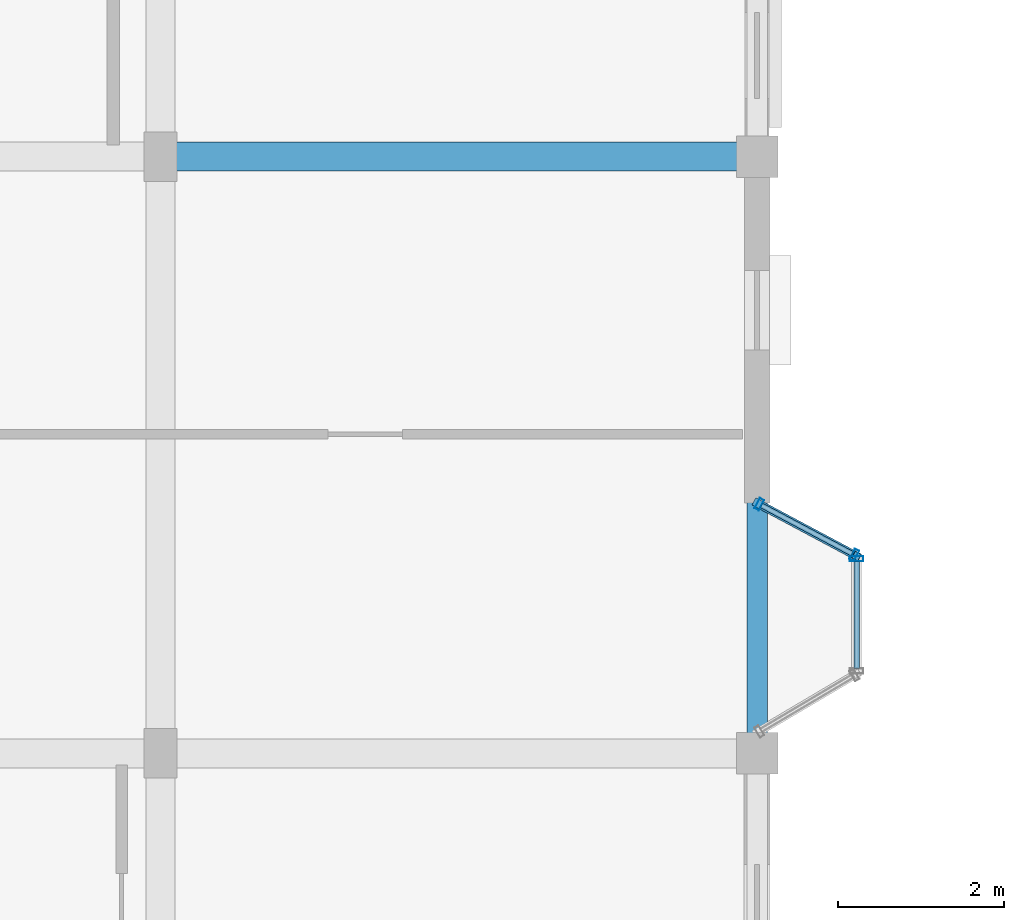
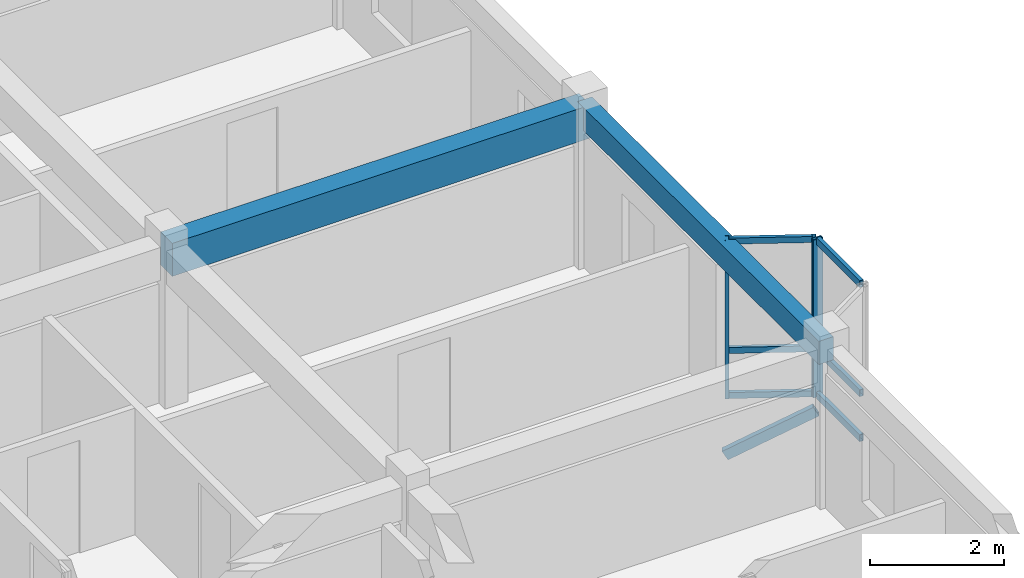
# One storey, part 12 of 70: 10 members, 2 beams, 2 elements without a shape of their own.
"""IFC4 building model written with IfcOpenShell, lengths in metres."""

import ifcopenshell
import ifcopenshell.guid

model = None  # the IFC model being written
_history = None  # IfcOwnerHistory: only IFC2X3 demands one
_inside = {}  # id of a spatial element -> (the spatial element, [elements in it])
_under = {}  # id of a project, library or spatial element -> (it, [spatial elements below it])
_declared = {}  # id of a project -> (the project, [libraries it declares])
_typed = {}  # id of a type object -> (the type object, [elements of that type])
_made_of = {}  # id of a material, layer set ... -> (it, [elements and type objects made of it])


def new_model(schema):
    """Start an empty IFC model of exactly this schema.

    Asked for "IFC4X3", IfcOpenShell would pick the latest addendum, in which some entities
    have other attributes; the version numbers below select the first issue.
    IFC2X3 requires an IfcOwnerHistory on every rooted entity: one is made here for all.
    """
    global model, _history
    if schema == "IFC4X3":
        model = ifcopenshell.file(schema_version=(4, 3, 0, 0))
    else:
        model = ifcopenshell.file(schema=schema)
    _inside.clear()
    _under.clear()
    _declared.clear()
    _typed.clear()
    _made_of.clear()
    _history = None
    if model.schema == "IFC2X3":
        org = make("IfcOrganization", Name="unknown")
        user = make(
            "IfcPersonAndOrganization",
            ThePerson=make("IfcPerson", FamilyName="unknown"),
            TheOrganization=org,
        )
        app = make(
            "IfcApplication",
            ApplicationDeveloper=org,
            Version="unknown",
            ApplicationFullName="unknown",
            ApplicationIdentifier="unknown",
        )
        _history = make(
            "IfcOwnerHistory",
            OwningUser=user,
            OwningApplication=app,
            ChangeAction="ADDED",
            CreationDate=0,
        )
    return model


def make(cls, **values):
    """One entity of the class cls with the attributes given. An attribute that is None is left unset."""
    return model.create_entity(
        cls, **{name: value for name, value in values.items() if value is not None}
    )


def rooted(cls, **values):
    """An entity with a GlobalId (a new one), such as an element, a storey or a relation."""
    return make(cls, GlobalId=ifcopenshell.guid.new(), OwnerHistory=_history, **values)


def si_unit(unit_type, name, prefix=None):
    """IfcSIUnit, for example si_unit("LENGTHUNIT", "METRE", prefix="MILLI")."""
    return make("IfcSIUnit", UnitType=unit_type, Prefix=prefix, Name=name)


def assignment(units):
    """IfcUnitAssignment: the units of a project."""
    return None if units is None else make("IfcUnitAssignment", Units=units)


def point(xyz):
    """IfcCartesianPoint."""
    return None if xyz is None else make("IfcCartesianPoint", Coordinates=xyz)


def direction(xyz):
    """IfcDirection."""
    return None if xyz is None else make("IfcDirection", DirectionRatios=xyz)


def frame(location, z_axis=None, x_axis=None):
    """IfcAxis2Placement3D, a coordinate frame: its origin and axes. An axis left out is left unset."""
    return make(
        "IfcAxis2Placement3D",
        Location=point(location),
        Axis=direction(z_axis),
        RefDirection=direction(x_axis),
    )


def frame_2d(location, x_axis=None):
    """IfcAxis2Placement2D, a coordinate frame in the plane: its origin and x axis."""
    return make(
        "IfcAxis2Placement2D", Location=point(location), RefDirection=direction(x_axis)
    )


def origin():
    """The frame at (0, 0, 0) with its axes left unset."""
    return frame((0.0, 0.0, 0.0))


def origin_2d():
    """The frame at (0, 0) in the plane with its x axis left unset."""
    return frame_2d((0.0, 0.0))


def place(relative_to, where):
    """IfcLocalPlacement: puts the frame where relative to a parent placement (None: the world)."""
    return make(
        "IfcLocalPlacement", PlacementRelTo=relative_to, RelativePlacement=where
    )


def context(
    kind, dimensions, precision=None, world=None, true_north=None, identifier=None
):
    """IfcGeometricRepresentationContext, for example the 3D "Model" context."""
    return make(
        "IfcGeometricRepresentationContext",
        ContextIdentifier=identifier,
        ContextType=kind,
        CoordinateSpaceDimension=dimensions,
        Precision=precision,
        WorldCoordinateSystem=world,
        TrueNorth=true_north,
    )


def subcontext(parent, identifier, kind, view, scale=None):
    """IfcGeometricRepresentationSubContext, for example "Body" below "Model"."""
    return make(
        "IfcGeometricRepresentationSubContext",
        ContextIdentifier=identifier,
        ContextType=kind,
        ParentContext=parent,
        TargetScale=scale,
        TargetView=view,
    )


def project(units=None, contexts=None):
    """IfcProject with its units and contexts."""
    return rooted(
        "IfcProject",
        Name="project",
        RepresentationContexts=contexts,
        UnitsInContext=assignment(units),
    )


def spatial(cls, under=None, at=None, **own):
    """A site, building, storey or space (cls), placed at a placement, below another one or the project."""
    s = rooted(cls, ObjectPlacement=at, **own)
    if under is not None:
        _under.setdefault(under.id(), (under, []))[1].append(s)
    return s


def profile(cls, at=None, kind="AREA", **sizes):
    """A parametric profile (cls). Its sizes go by their IFC names, for example OverallWidth=200.0."""
    return make(cls, ProfileType=kind, Position=at, **sizes)


def rectangle(**sizes):
    """IfcRectangleProfileDef."""
    return profile("IfcRectangleProfileDef", **sizes)


def hollow_rectangle(**sizes):
    """IfcRectangleHollowProfileDef."""
    return profile("IfcRectangleHollowProfileDef", **sizes)


def extrude(swept, where, along, depth):
    """IfcExtrudedAreaSolid: the profile swept, set in the frame where, extruded along a direction by depth."""
    return make(
        "IfcExtrudedAreaSolid",
        SweptArea=swept,
        Position=where,
        ExtrudedDirection=direction(along),
        Depth=depth,
    )


def shape(context_of_items, identifier, shape_type, items):
    """IfcShapeRepresentation: the items that make up one representation, for example the "Body"."""
    return make(
        "IfcShapeRepresentation",
        ContextOfItems=context_of_items,
        RepresentationIdentifier=identifier,
        RepresentationType=shape_type,
        Items=items,
    )


def material(Name=None, Category=None):
    """IfcMaterial."""
    return make("IfcMaterial", Name=Name, Category=Category)


def layer(
    of_material, thickness, ventilated=None, Name=None, Category=None, Priority=None
):
    """IfcMaterialLayer: one layer of a wall or slab, of a material (None: an air gap)."""
    return make(
        "IfcMaterialLayer",
        Material=of_material,
        LayerThickness=thickness,
        IsVentilated=ventilated,
        Name=Name,
        Category=Category,
        Priority=Priority,
    )


def layer_set(layers, Name=None):
    """IfcMaterialLayerSet."""
    return make("IfcMaterialLayerSet", MaterialLayers=layers, LayerSetName=Name)


def material_profile(
    of_material, cross_section, Name=None, Category=None, Priority=None
):
    """IfcMaterialProfile: a cross section and its material."""
    return make(
        "IfcMaterialProfile",
        Name=Name,
        Material=of_material,
        Profile=cross_section,
        Priority=Priority,
        Category=Category,
    )


def profile_set(profiles, Name=None, composite=None):
    """IfcMaterialProfileSet."""
    return make(
        "IfcMaterialProfileSet",
        Name=Name,
        MaterialProfiles=profiles,
        CompositeProfile=composite,
    )


def made_of(thing, what):
    """Note that an element or type object is made of a material, layer set ...; save() writes the relation."""
    if what is not None:
        _made_of.setdefault(what.id(), (what, []))[1].append(thing)
    return thing


def type_object(cls, material=None, **own):
    """A type object (cls), such as IfcWallType, which elements share."""
    return made_of(rooted(cls, **own), material)


def element(
    cls,
    number,
    at=None,
    inside=None,
    cuts=None,
    type_object=None,
    material=None,
    context=None,
    identifier="Body",
    shape_type=None,
    held_by="IfcProductDefinitionShape",
    body=None,
    shapes=None,
    **own,
):
    """One element of the class cls, such as IfcWall. Its Tag is "e" and its number.

    at: its placement. inside: the storey or other place that contains it. cuts: it is an
    opening in that element (IfcRelVoidsElement). A single representation is given by context,
    identifier, shape_type and body (its items); several are given by shapes. held_by: the class
    of the entity that holds the representations. save() writes the other relations.
    """
    e = rooted(cls, Tag="e%d" % number, ObjectPlacement=at, **own)
    if body is not None:
        shapes = [shape(context, identifier, shape_type, body)]
    if shapes is not None:
        e.Representation = make(held_by, Representations=shapes)
    if inside is not None:
        _inside.setdefault(inside.id(), (inside, []))[1].append(e)
    if cuts is not None:
        rooted(
            "IfcRelVoidsElement", RelatingBuildingElement=cuts, RelatedOpeningElement=e
        )
    if type_object is not None:
        _typed.setdefault(type_object.id(), (type_object, []))[1].append(e)
    return made_of(e, material)


def aggregate(whole, parts):
    """IfcRelAggregates: a whole, such as a stair, and the parts it consists of."""
    return rooted("IfcRelAggregates", RelatingObject=whole, RelatedObjects=parts)


def save(model, path):
    """Write the relations noted so far, then the file.

    IfcRelAggregates (storeys below a building ...), IfcRelContainedInSpatialStructure (elements
    in a storey), IfcRelDefinesByType, IfcRelAssociatesMaterial and IfcRelDeclares: one each for
    every whole, place, type object, material and project.
    """
    for whole, parts in _under.values():
        aggregate(whole, parts)
    for where, things in _inside.values():
        rooted(
            "IfcRelContainedInSpatialStructure",
            RelatedElements=things,
            RelatingStructure=where,
        )
    for kind, things in _typed.values():
        rooted("IfcRelDefinesByType", RelatedObjects=things, RelatingType=kind)
    for what, things in _made_of.values():
        rooted("IfcRelAssociatesMaterial", RelatedObjects=things, RelatingMaterial=what)
    for by, libraries in _declared.values():
        rooted("IfcRelDeclares", RelatingContext=by, RelatedDefinitions=libraries)
    model.write(path)


model = new_model("IFC4")

# Units and contexts
model_context = context("Model", 3, precision=1e-05, world=origin(), true_north=direction((0.0, 1.0)))
body_context = subcontext(model_context, "Body", "Model", "MODEL_VIEW")
ifc_project = project(units=[si_unit("LENGTHUNIT", "METRE"), si_unit("AREAUNIT", "SQUARE_METRE"), si_unit("VOLUMEUNIT", "CUBIC_METRE"), si_unit("PLANEANGLEUNIT", "RADIAN"), si_unit("MASSUNIT", "GRAM", prefix="KILO"), si_unit("THERMODYNAMICTEMPERATUREUNIT", "KELVIN"), si_unit("POWERUNIT", "WATT")], contexts=[model_context])

# Site, building, storey
site_placement = place(None, origin())
site = spatial("IfcSite", under=ifc_project, at=site_placement, CompositionType="ELEMENT")
building_placement = place(site_placement, origin())
building = spatial("IfcBuilding", under=site, at=building_placement, Name="Tavuni Mirador Residences", CompositionType="ELEMENT")
storey_placement = place(building_placement, frame((0.0, 0.0, 23.39990234375)))
storey = spatial("IfcBuildingStorey", under=building, at=storey_placement, Name="L07", CompositionType="ELEMENT", Elevation=23.39990234375)

# Beams
ifc_material_1 = material(Name="Precast concrete C40/50", Category="concrete")
ifc_material_profile_1 = material_profile(ifc_material_1, rectangle(XDim=0.35009765625, YDim=0.60009765625, at=origin_2d()), Name="PC 350x600", Category="concrete")
ifc_profile_set_1 = profile_set([ifc_material_profile_1], Name="Precast concrete C40/50")
beam_type_1 = type_object("IfcBeamType", Name="BT-B600", PredefinedType="BEAM", material=ifc_profile_set_1)
beam_1_placement = place(storey_placement, frame((25.199951171875, 28.800048828125, 2.570068359375), z_axis=(1.0, 0.0, 0.0), x_axis=(0.0, 1.0, 0.0)))
element("IfcBeam", 1, at=beam_1_placement, inside=storey, type_object=beam_type_1, Name="BMX-BLK-A-L07-03-03", PredefinedType="BEAM", context=body_context, shape_type="SweptSolid", body=[
    extrude(rectangle(XDim=0.35009765625, YDim=0.60009765625, at=origin_2d()), origin(), (0.0, 0.0, 1.0), 7.199951171875),
])
ifc_material_profile_2 = material_profile(ifc_material_1, rectangle(XDim=0.25, YDim=0.419921875, at=origin_2d()), Name="PC 250x420", Category="concrete")
ifc_profile_set_2 = profile_set([ifc_material_profile_2], Name="Precast concrete C40/50")
beam_type_2 = type_object("IfcBeamType", Name="BT-SP420", PredefinedType="SPANDREL", material=ifc_profile_set_2)
beam_2_placement = place(storey_placement, frame((32.39990234375, 21.60009765625, 2.66015625), z_axis=(0.0, 1.0, 0.0), x_axis=(-1.0, 0.0, 0.0)))
element("IfcBeam", 2, at=beam_2_placement, inside=storey, type_object=beam_type_2, Name="BMY-BLK-A-L07-04-02", PredefinedType="SPANDREL", context=body_context, shape_type="SweptSolid", body=[
    extrude(rectangle(XDim=0.25, YDim=0.419921875, at=origin_2d()), origin(), (0.0, 0.0, 1.0), 7.199951171875),
])

# Curtain wall, members
ifc_material_2 = material(Name="Anodised aluminium", Category="aluminium")
ifc_layer_1 = layer(ifc_material_2, 0.175048828125, Name="Anodised aluminium", Category="aluminium")
ifc_layer_set_1 = layer_set([ifc_layer_1], Name="Anodised aluminium")
curtain_wall_type_1 = type_object("IfcCurtainWallType", Name="CWT-MIR-C", PredefinedType="NOTDEFINED", material=ifc_layer_set_1)
curtain_wall_1_placement = place(storey_placement, origin())
curtain_wall_1 = element("IfcCurtainWall", 3, at=curtain_wall_1_placement, inside=storey, type_object=curtain_wall_type_1, Name="CW-MIR-A-E2-L07-M2", PredefinedType="NOTDEFINED")
ifc_material_profile_3 = material_profile(ifc_material_2, hollow_rectangle(XDim=0.06005859375, YDim=0.139892578125, WallThickness=0.00390625, at=origin_2d()), Name="ALU 60x140x4.0", Category="aluminium")
ifc_profile_set_3 = profile_set([ifc_material_profile_3], Name="Anodised aluminium")
member_type_1 = type_object("IfcMemberType", Name="CWM-140", PredefinedType="MULLION", material=ifc_profile_set_3)
member_1_placement = place(storey_placement, frame((33.573486328125, 23.994140625, 0.0), z_axis=(0.0, 0.0, 1.0), x_axis=(-0.882352941175, 0.470588235296, 0.0)))
member_1 = element("IfcMember", 4, at=member_1_placement, type_object=member_type_1, Name="CW-03 mullion 1", PredefinedType="MULLION", context=body_context, shape_type="SweptSolid", body=[
    extrude(hollow_rectangle(XDim=0.06005859375, YDim=0.139892578125, WallThickness=0.00390625, at=origin_2d()), origin(), (0.0, 0.0, 1.0), 2.8701171875),
])
member_2_placement = place(storey_placement, frame((32.426513671875, 24.60595703125, 0.0), z_axis=(0.0, 0.0, 1.0), x_axis=(-0.882352941175, 0.470588235296, 0.0)))
member_2 = element("IfcMember", 5, at=member_2_placement, type_object=member_type_1, Name="CW-03 mullion 2", PredefinedType="MULLION", context=body_context, shape_type="SweptSolid", body=[
    extrude(hollow_rectangle(XDim=0.06005859375, YDim=0.139892578125, WallThickness=0.00390625, at=origin_2d()), origin(), (0.0, 0.0, 1.0), 2.8701171875),
])

# Curtain wall, member
ifc_layer_2 = layer(ifc_material_2, 0.14990234375, Name="Anodised aluminium", Category="aluminium")
ifc_layer_set_2 = layer_set([ifc_layer_2], Name="Anodised aluminium")
curtain_wall_type_2 = type_object("IfcCurtainWallType", Name="CWT-MIR-B", PredefinedType="NOTDEFINED", material=ifc_layer_set_2)
curtain_wall_2_placement = place(storey_placement, origin())
curtain_wall_2 = element("IfcCurtainWall", 6, at=curtain_wall_2_placement, inside=storey, type_object=curtain_wall_type_2, Name="CW-MIR-A-E2-L07-MF", PredefinedType="NOTDEFINED")
ifc_material_profile_4 = material_profile(ifc_material_2, hollow_rectangle(XDim=0.06494140625, YDim=0.1650390625, WallThickness=0.00439453125, at=origin_2d()), Name="ALU 65x165x4.5", Category="aluminium")
ifc_profile_set_4 = profile_set([ifc_material_profile_4], Name="Anodised aluminium")
member_type_2 = type_object("IfcMemberType", Name="CWM-165", PredefinedType="MULLION", material=ifc_profile_set_4)
member_3_placement = place(storey_placement, frame((33.60009765625, 23.947509765625, 0.0), z_axis=(0.0, 0.0, 1.0), x_axis=(0.0, 1.0, 0.0)))
member_3 = element("IfcMember", 7, at=member_3_placement, type_object=member_type_2, Name="CW-02 mullion 2", PredefinedType="MULLION", context=body_context, shape_type="SweptSolid", body=[
    extrude(hollow_rectangle(XDim=0.06494140625, YDim=0.1650390625, WallThickness=0.00439453125, at=origin_2d()), origin(), (0.0, 0.0, 1.0), 2.8701171875),
])

# Member
ifc_material_profile_5 = material_profile(ifc_material_2, hollow_rectangle(XDim=0.06005859375, YDim=0.110107421875, WallThickness=0.00390625, at=origin_2d()), Name="ALU 60x110x4.0", Category="aluminium")
ifc_profile_set_5 = profile_set([ifc_material_profile_5], Name="Anodised aluminium")
member_type_3 = type_object("IfcMemberType", Name="CWT-110", PredefinedType="USERDEFINED", material=ifc_profile_set_5)
member_4_placement = place(storey_placement, frame((33.547119140625, 24.00830078125, 0.030029296875), z_axis=(-0.882385637708, 0.470526924168, 0.0), x_axis=(-0.470526924168, -0.882385637708, 0.0)))
member_4 = element("IfcMember", 8, at=member_4_placement, type_object=member_type_3, Name="CW-03 transom 1.1", ObjectType="TRANSOM", PredefinedType="USERDEFINED", context=body_context, shape_type="SweptSolid", body=[
    extrude(hollow_rectangle(XDim=0.06005859375, YDim=0.110107421875, WallThickness=0.00390625, at=origin_2d()), origin(), (0.0, 0.0, 1.0), 1.239990234375),
])

member_5_placement = place(storey_placement, frame((33.547119140625, 24.00830078125, 0.85009765625), z_axis=(-0.882385637708, 0.470526924168, 0.0), x_axis=(-0.470526924168, -0.882385637708, 0.0)))
member_5 = element("IfcMember", 9, at=member_5_placement, type_object=member_type_3, Name="CW-03 transom 1.2", ObjectType="TRANSOM", PredefinedType="USERDEFINED", context=body_context, shape_type="SweptSolid", body=[
    extrude(hollow_rectangle(XDim=0.06005859375, YDim=0.110107421875, WallThickness=0.00390625, at=origin_2d()), origin(), (0.0, 0.0, 1.0), 1.239990234375),
])

member_6_placement = place(storey_placement, frame((33.547119140625, 24.00830078125, 2.840087890625), z_axis=(-0.882385637708, 0.470526924168, 0.0), x_axis=(-0.470526924168, -0.882385637708, 0.0)))
member_6 = element("IfcMember", 10, at=member_6_placement, type_object=member_type_3, Name="CW-03 transom 1.3", ObjectType="TRANSOM", PredefinedType="USERDEFINED", context=body_context, shape_type="SweptSolid", body=[
    extrude(hollow_rectangle(XDim=0.06005859375, YDim=0.110107421875, WallThickness=0.00390625, at=origin_2d()), origin(), (0.0, 0.0, 1.0), 1.239990234375),
])

aggregate(curtain_wall_1, [member_1, member_2, member_4, member_5, member_6])

ifc_material_profile_6 = material_profile(ifc_material_2, hollow_rectangle(XDim=0.06494140625, YDim=0.125, WallThickness=0.00439453125, at=origin_2d()), Name="ALU 65x125x4.5", Category="aluminium")
ifc_profile_set_6 = profile_set([ifc_material_profile_6], Name="Anodised aluminium")
member_type_4 = type_object("IfcMemberType", Name="CWT-125", PredefinedType="USERDEFINED", material=ifc_profile_set_6)
member_7_placement = place(storey_placement, frame((33.60009765625, 22.625, 0.03271484375), z_axis=(0.0, 1.0, 0.0), x_axis=(-1.0, 0.0, 0.0)))
member_7 = element("IfcMember", 11, at=member_7_placement, type_object=member_type_4, Name="CW-02 transom 1.1", ObjectType="TRANSOM", PredefinedType="USERDEFINED", context=body_context, shape_type="SweptSolid", body=[
    extrude(hollow_rectangle(XDim=0.06494140625, YDim=0.125, WallThickness=0.00439453125, at=origin_2d()), origin(), (0.0, 0.0, 1.0), 1.2900390625),
])

member_8_placement = place(storey_placement, frame((33.60009765625, 22.625, 0.85009765625), z_axis=(0.0, 1.0, 0.0), x_axis=(-1.0, 0.0, 0.0)))
member_8 = element("IfcMember", 12, at=member_8_placement, type_object=member_type_4, Name="CW-02 transom 1.2", ObjectType="TRANSOM", PredefinedType="USERDEFINED", context=body_context, shape_type="SweptSolid", body=[
    extrude(hollow_rectangle(XDim=0.06494140625, YDim=0.125, WallThickness=0.00439453125, at=origin_2d()), origin(), (0.0, 0.0, 1.0), 1.2900390625),
])

member_9_placement = place(storey_placement, frame((33.60009765625, 22.625, 2.837646484375), z_axis=(0.0, 1.0, 0.0), x_axis=(-1.0, 0.0, 0.0)))
member_9 = element("IfcMember", 13, at=member_9_placement, type_object=member_type_4, Name="CW-02 transom 1.3", ObjectType="TRANSOM", PredefinedType="USERDEFINED", context=body_context, shape_type="SweptSolid", body=[
    extrude(hollow_rectangle(XDim=0.06494140625, YDim=0.125, WallThickness=0.00439453125, at=origin_2d()), origin(), (0.0, 0.0, 1.0), 1.2900390625),
])

aggregate(curtain_wall_2, [member_3, member_7, member_8, member_9])

ifc_material_3 = material(Name="Structural steel S355", Category="steel")
ifc_material_profile_7 = material_profile(ifc_material_3, hollow_rectangle(XDim=0.10009765625, YDim=0.179931640625, WallThickness=0.008056640625, at=origin_2d()), Name="RHS 180x100x8.0", Category="steel")
ifc_profile_set_7 = profile_set([ifc_material_profile_7], Name="Structural steel S355")
member_type_5 = type_object("IfcMemberType", Name="MT-BR-RHS180", PredefinedType="BRACE", material=ifc_profile_set_7)
member_10_placement = place(storey_placement, frame((32.39990234375, 24.6201171875, -1.0498046875), z_axis=(0.767847080655, -0.409539268811, 0.492634192918), x_axis=(0.470606866739, 0.882343004153, 0.0)))
element("IfcMember", 14, at=member_10_placement, inside=storey, type_object=member_type_5, Name="MBRK-MIR-A-E2-L07-2", PredefinedType="BRACE", context=body_context, shape_type="SweptSolid", body=[
    extrude(hollow_rectangle(XDim=0.10009765625, YDim=0.179931640625, WallThickness=0.008056640625, at=origin_2d()), origin(), (0.0, 0.0, 1.0), 1.56298828125),
])

save(model, "model.ifc")
